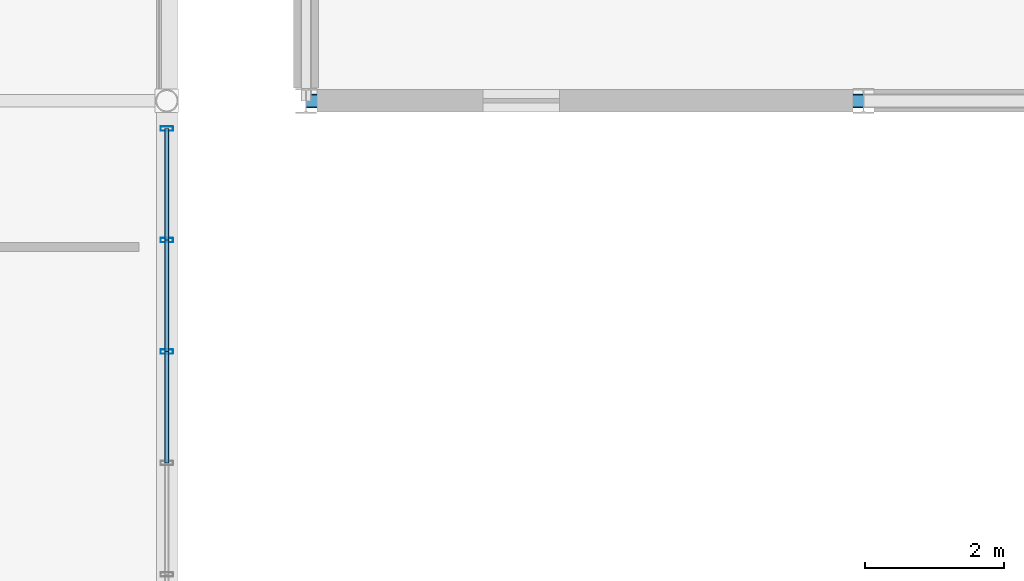
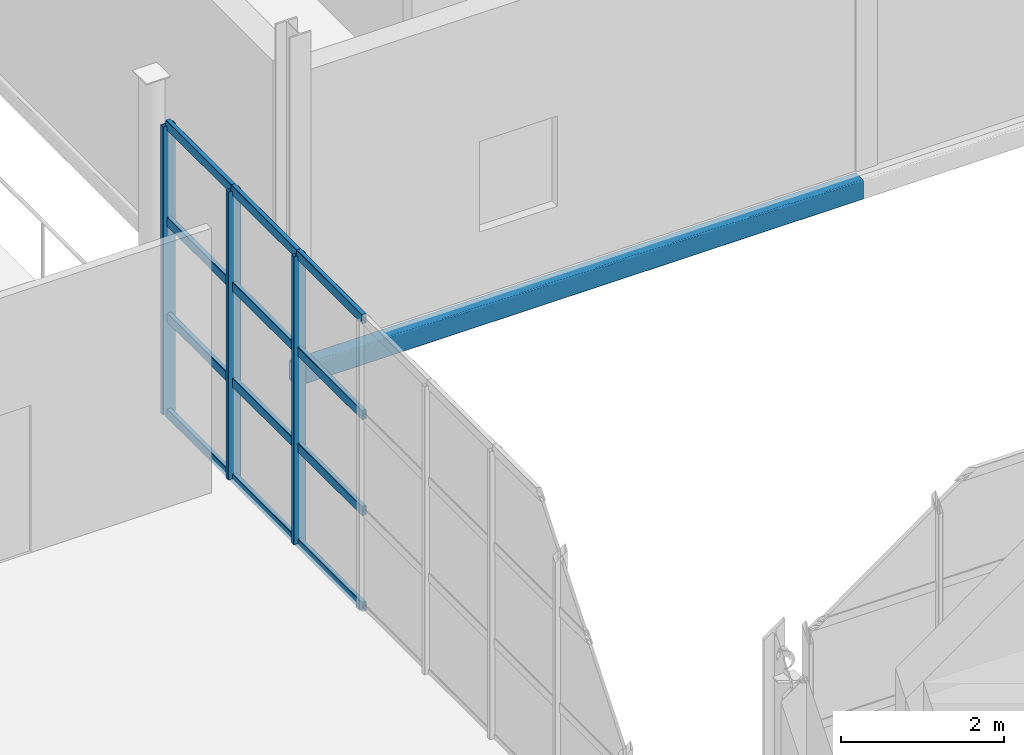
# One storey, part 53 of 143: 15 members, 1 beam, 1 element without a shape of its own.
"""IFC4 building model written with IfcOpenShell, lengths in metres."""

from ifc_helpers import new_model, si_unit, derived_unit, direction, frame, origin, origin_2d, place, context, subcontext, project, spatial, hollow_rectangle, extrude, material, material_profile, profile_set, type_object, element, aggregate, save


model = new_model("IFC4")

# Units and contexts
model_context = context("Model", 3, precision=1e-05, world=origin(), true_north=direction((0.0, 1.0)))
body_context = subcontext(model_context, "Body", "Model", "MODEL_VIEW")
ifc_project = project(units=[si_unit("LENGTHUNIT", "METRE"), si_unit("AREAUNIT", "SQUARE_METRE"), si_unit("VOLUMEUNIT", "CUBIC_METRE"), si_unit("PLANEANGLEUNIT", "RADIAN"), si_unit("MASSUNIT", "GRAM", prefix="KILO"), derived_unit("THERMALTRANSMITTANCEUNIT", [(si_unit("POWERUNIT", "WATT"), 1), (si_unit("LENGTHUNIT", "METRE"), -2), (si_unit("THERMODYNAMICTEMPERATUREUNIT", "KELVIN"), -1)])], contexts=[model_context])

# Site, building, storey
site_placement = place(None, origin())
site = spatial("IfcSite", under=ifc_project, at=site_placement, CompositionType="ELEMENT")
building_placement = place(site_placement, origin())
building = spatial("IfcBuilding", under=site, at=building_placement, Name="Keldorne Ridge Multi-Sports Centre", CompositionType="ELEMENT")
storey_placement = place(building_placement, frame((0.0, 0.0, 4.800048828125)))
storey = spatial("IfcBuildingStorey", under=building, at=storey_placement, Name="L01", CompositionType="ELEMENT", Elevation=4.800048828125)

# Beam
ifc_material_1 = material(Name="Steel S355", Category="steel")
ifc_material_profile_1 = material_profile(ifc_material_1, hollow_rectangle(XDim=0.199951171875, YDim=0.300048828125, WallThickness=0.012451171875, InnerFilletRadius=0.012451171875, OuterFilletRadius=0.02490234375, at=origin_2d()), Name="RHS 300x200x12.5")
ifc_profile_set_1 = profile_set([ifc_material_profile_1], Name="Steel S355")
beam_type = type_object("IfcBeamType", Name="BM-SP-01", PredefinedType="SPANDREL", material=ifc_profile_set_1)
beam_placement = place(storey_placement, frame((104.0, 66.0, -0.3701171875), z_axis=(1.0, 0.0, 0.0), x_axis=(0.0, 1.0, 0.0)))
element("IfcBeam", 1, at=beam_placement, inside=storey, type_object=beam_type, Name="L01 primary beam 1.66", PredefinedType="SPANDREL", context=body_context, shape_type="SweptSolid", body=[
    extrude(hollow_rectangle(XDim=0.199951171875, YDim=0.300048828125, WallThickness=0.012451171875, InnerFilletRadius=0.012451171875, OuterFilletRadius=0.02490234375, at=origin_2d()), origin(), (0.0, 0.0, 1.0), 8.0),
])

# Curtain wall, members
ifc_material_2 = material(Name="Anodized aluminium", Category="aluminium")
curtain_wall_type = type_object("IfcCurtainWallType", Name="CW-CW-06", PredefinedType="NOTDEFINED", material=ifc_material_2)
curtain_wall_placement = place(storey_placement, origin())
curtain_wall = element("IfcCurtainWall", 2, at=curtain_wall_placement, inside=storey, type_object=curtain_wall_type, Name="Passage east courtyard curtain wall L01 086", PredefinedType="NOTDEFINED")
ifc_material_profile_2 = material_profile(ifc_material_2, hollow_rectangle(XDim=0.06494140625, YDim=0.179931640625, WallThickness=0.00439453125, InnerFilletRadius=0.00439453125, OuterFilletRadius=0.009033203125, at=origin_2d()), Name="ALU MULLION 180x65x4.5")
ifc_profile_set_2 = profile_set([ifc_material_profile_2], Name="Anodized aluminium")
member_type_1 = type_object("IfcMemberType", Name="MEM-ML-01", PredefinedType="MULLION", material=ifc_profile_set_2)
member_1_placement = place(storey_placement, frame((102.0, 62.39990234375, 0.0), z_axis=(0.0, 0.0, 1.0), x_axis=(0.0, 1.0, 0.0)))
member_1 = element("IfcMember", 3, at=member_1_placement, type_object=member_type_1, Name="CW-086 vertical mullion 6", PredefinedType="MULLION", context=body_context, shape_type="SweptSolid", body=[
    extrude(hollow_rectangle(XDim=0.06494140625, YDim=0.179931640625, WallThickness=0.00439453125, InnerFilletRadius=0.00439453125, OuterFilletRadius=0.009033203125, at=origin_2d()), origin(), (0.0, 0.0, 1.0), 4.300048828125),
])
member_2_placement = place(storey_placement, frame((102.0, 64.0, 0.0), z_axis=(0.0, 0.0, 1.0), x_axis=(0.0, 1.0, 0.0)))
member_2 = element("IfcMember", 4, at=member_2_placement, type_object=member_type_1, Name="CW-086 vertical mullion 7", PredefinedType="MULLION", context=body_context, shape_type="SweptSolid", body=[
    extrude(hollow_rectangle(XDim=0.06494140625, YDim=0.179931640625, WallThickness=0.00439453125, InnerFilletRadius=0.00439453125, OuterFilletRadius=0.009033203125, at=origin_2d()), origin(), (0.0, 0.0, 1.0), 4.300048828125),
])
member_3_placement = place(storey_placement, frame((102.0, 65.60009765625, 0.0), z_axis=(0.0, 0.0, 1.0), x_axis=(0.0, 1.0, 0.0)))
member_3 = element("IfcMember", 5, at=member_3_placement, type_object=member_type_1, Name="CW-086 vertical mullion 8", PredefinedType="MULLION", context=body_context, shape_type="SweptSolid", body=[
    extrude(hollow_rectangle(XDim=0.06494140625, YDim=0.179931640625, WallThickness=0.00439453125, InnerFilletRadius=0.00439453125, OuterFilletRadius=0.009033203125, at=origin_2d()), origin(), (0.0, 0.0, 1.0), 4.300048828125),
])
ifc_material_profile_3 = material_profile(ifc_material_2, hollow_rectangle(XDim=0.06494140625, YDim=0.139892578125, WallThickness=0.00439453125, InnerFilletRadius=0.00439453125, OuterFilletRadius=0.009033203125, at=origin_2d()), Name="ALU TRANSOM 140x65x4.5")
ifc_profile_set_3 = profile_set([ifc_material_profile_3], Name="Anodized aluminium")
member_type_2 = type_object("IfcMemberType", Name="MEM-TR-01", PredefinedType="USERDEFINED", material=ifc_profile_set_3)
member_4_placement = place(storey_placement, frame((102.0, 60.800048828125, 0.0), z_axis=(0.0, 1.0, 0.0), x_axis=(-1.0, 0.0, 0.0)))
member_4 = element("IfcMember", 6, at=member_4_placement, type_object=member_type_2, Name="CW-086 transom 5.1", ObjectType="TRANSOM", PredefinedType="USERDEFINED", context=body_context, shape_type="SweptSolid", body=[
    extrude(hollow_rectangle(XDim=0.06494140625, YDim=0.139892578125, WallThickness=0.00439453125, InnerFilletRadius=0.00439453125, OuterFilletRadius=0.009033203125, at=origin_2d()), origin(), (0.0, 0.0, 1.0), 1.599853515625),
])
member_5_placement = place(storey_placement, frame((102.0, 60.800048828125, 1.433349609375), z_axis=(0.0, 1.0, 0.0), x_axis=(-1.0, 0.0, 0.0)))
member_5 = element("IfcMember", 7, at=member_5_placement, type_object=member_type_2, Name="CW-086 transom 5.2", ObjectType="TRANSOM", PredefinedType="USERDEFINED", context=body_context, shape_type="SweptSolid", body=[
    extrude(hollow_rectangle(XDim=0.06494140625, YDim=0.139892578125, WallThickness=0.00439453125, InnerFilletRadius=0.00439453125, OuterFilletRadius=0.009033203125, at=origin_2d()), origin(), (0.0, 0.0, 1.0), 1.599853515625),
])
member_6_placement = place(storey_placement, frame((102.0, 60.800048828125, 2.86669921875), z_axis=(0.0, 1.0, 0.0), x_axis=(-1.0, 0.0, 0.0)))
member_6 = element("IfcMember", 8, at=member_6_placement, type_object=member_type_2, Name="CW-086 transom 5.3", ObjectType="TRANSOM", PredefinedType="USERDEFINED", context=body_context, shape_type="SweptSolid", body=[
    extrude(hollow_rectangle(XDim=0.06494140625, YDim=0.139892578125, WallThickness=0.00439453125, InnerFilletRadius=0.00439453125, OuterFilletRadius=0.009033203125, at=origin_2d()), origin(), (0.0, 0.0, 1.0), 1.599853515625),
])
member_7_placement = place(storey_placement, frame((102.0, 60.800048828125, 4.300048828125), z_axis=(0.0, 1.0, 0.0), x_axis=(-1.0, 0.0, 0.0)))
member_7 = element("IfcMember", 9, at=member_7_placement, type_object=member_type_2, Name="CW-086 transom 5.4", ObjectType="TRANSOM", PredefinedType="USERDEFINED", context=body_context, shape_type="SweptSolid", body=[
    extrude(hollow_rectangle(XDim=0.06494140625, YDim=0.139892578125, WallThickness=0.00439453125, InnerFilletRadius=0.00439453125, OuterFilletRadius=0.009033203125, at=origin_2d()), origin(), (0.0, 0.0, 1.0), 1.599853515625),
])
member_8_placement = place(storey_placement, frame((102.0, 62.39990234375, 0.0), z_axis=(0.0, 1.0, 0.0), x_axis=(-1.0, 0.0, 0.0)))
member_8 = element("IfcMember", 10, at=member_8_placement, type_object=member_type_2, Name="CW-086 transom 6.1", ObjectType="TRANSOM", PredefinedType="USERDEFINED", context=body_context, shape_type="SweptSolid", body=[
    extrude(hollow_rectangle(XDim=0.06494140625, YDim=0.139892578125, WallThickness=0.00439453125, InnerFilletRadius=0.00439453125, OuterFilletRadius=0.009033203125, at=origin_2d()), origin(), (0.0, 0.0, 1.0), 1.60009765625),
])
member_9_placement = place(storey_placement, frame((102.0, 62.39990234375, 1.433349609375), z_axis=(0.0, 1.0, 0.0), x_axis=(-1.0, 0.0, 0.0)))
member_9 = element("IfcMember", 11, at=member_9_placement, type_object=member_type_2, Name="CW-086 transom 6.2", ObjectType="TRANSOM", PredefinedType="USERDEFINED", context=body_context, shape_type="SweptSolid", body=[
    extrude(hollow_rectangle(XDim=0.06494140625, YDim=0.139892578125, WallThickness=0.00439453125, InnerFilletRadius=0.00439453125, OuterFilletRadius=0.009033203125, at=origin_2d()), origin(), (0.0, 0.0, 1.0), 1.60009765625),
])
member_10_placement = place(storey_placement, frame((102.0, 62.39990234375, 2.86669921875), z_axis=(0.0, 1.0, 0.0), x_axis=(-1.0, 0.0, 0.0)))
member_10 = element("IfcMember", 12, at=member_10_placement, type_object=member_type_2, Name="CW-086 transom 6.3", ObjectType="TRANSOM", PredefinedType="USERDEFINED", context=body_context, shape_type="SweptSolid", body=[
    extrude(hollow_rectangle(XDim=0.06494140625, YDim=0.139892578125, WallThickness=0.00439453125, InnerFilletRadius=0.00439453125, OuterFilletRadius=0.009033203125, at=origin_2d()), origin(), (0.0, 0.0, 1.0), 1.60009765625),
])
member_11_placement = place(storey_placement, frame((102.0, 62.39990234375, 4.300048828125), z_axis=(0.0, 1.0, 0.0), x_axis=(-1.0, 0.0, 0.0)))
member_11 = element("IfcMember", 13, at=member_11_placement, type_object=member_type_2, Name="CW-086 transom 6.4", ObjectType="TRANSOM", PredefinedType="USERDEFINED", context=body_context, shape_type="SweptSolid", body=[
    extrude(hollow_rectangle(XDim=0.06494140625, YDim=0.139892578125, WallThickness=0.00439453125, InnerFilletRadius=0.00439453125, OuterFilletRadius=0.009033203125, at=origin_2d()), origin(), (0.0, 0.0, 1.0), 1.60009765625),
])
member_12_placement = place(storey_placement, frame((102.0, 64.0, 0.0), z_axis=(0.0, 1.0, 0.0), x_axis=(-1.0, 0.0, 0.0)))
member_12 = element("IfcMember", 14, at=member_12_placement, type_object=member_type_2, Name="CW-086 transom 7.1", ObjectType="TRANSOM", PredefinedType="USERDEFINED", context=body_context, shape_type="SweptSolid", body=[
    extrude(hollow_rectangle(XDim=0.06494140625, YDim=0.139892578125, WallThickness=0.00439453125, InnerFilletRadius=0.00439453125, OuterFilletRadius=0.009033203125, at=origin_2d()), origin(), (0.0, 0.0, 1.0), 1.60009765625),
])
member_13_placement = place(storey_placement, frame((102.0, 64.0, 1.433349609375), z_axis=(0.0, 1.0, 0.0), x_axis=(-1.0, 0.0, 0.0)))
member_13 = element("IfcMember", 15, at=member_13_placement, type_object=member_type_2, Name="CW-086 transom 7.2", ObjectType="TRANSOM", PredefinedType="USERDEFINED", context=body_context, shape_type="SweptSolid", body=[
    extrude(hollow_rectangle(XDim=0.06494140625, YDim=0.139892578125, WallThickness=0.00439453125, InnerFilletRadius=0.00439453125, OuterFilletRadius=0.009033203125, at=origin_2d()), origin(), (0.0, 0.0, 1.0), 1.60009765625),
])
member_14_placement = place(storey_placement, frame((102.0, 64.0, 2.86669921875), z_axis=(0.0, 1.0, 0.0), x_axis=(-1.0, 0.0, 0.0)))
member_14 = element("IfcMember", 16, at=member_14_placement, type_object=member_type_2, Name="CW-086 transom 7.3", ObjectType="TRANSOM", PredefinedType="USERDEFINED", context=body_context, shape_type="SweptSolid", body=[
    extrude(hollow_rectangle(XDim=0.06494140625, YDim=0.139892578125, WallThickness=0.00439453125, InnerFilletRadius=0.00439453125, OuterFilletRadius=0.009033203125, at=origin_2d()), origin(), (0.0, 0.0, 1.0), 1.60009765625),
])
member_15_placement = place(storey_placement, frame((102.0, 64.0, 4.300048828125), z_axis=(0.0, 1.0, 0.0), x_axis=(-1.0, 0.0, 0.0)))
member_15 = element("IfcMember", 17, at=member_15_placement, type_object=member_type_2, Name="CW-086 transom 7.4", ObjectType="TRANSOM", PredefinedType="USERDEFINED", context=body_context, shape_type="SweptSolid", body=[
    extrude(hollow_rectangle(XDim=0.06494140625, YDim=0.139892578125, WallThickness=0.00439453125, InnerFilletRadius=0.00439453125, OuterFilletRadius=0.009033203125, at=origin_2d()), origin(), (0.0, 0.0, 1.0), 1.60009765625),
])
aggregate(curtain_wall, [member_1, member_2, member_3, member_4, member_5, member_6, member_7, member_8, member_9, member_10, member_11, member_12, member_13, member_14, member_15])

save(model, "model.ifc")
